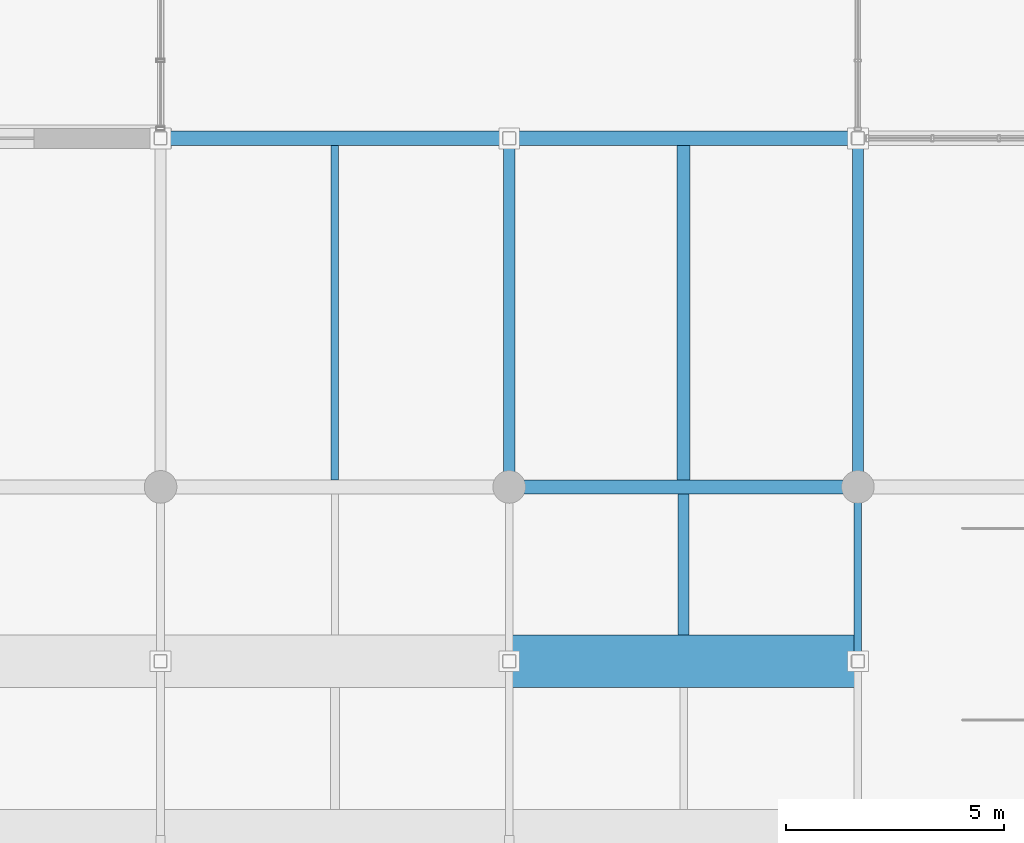
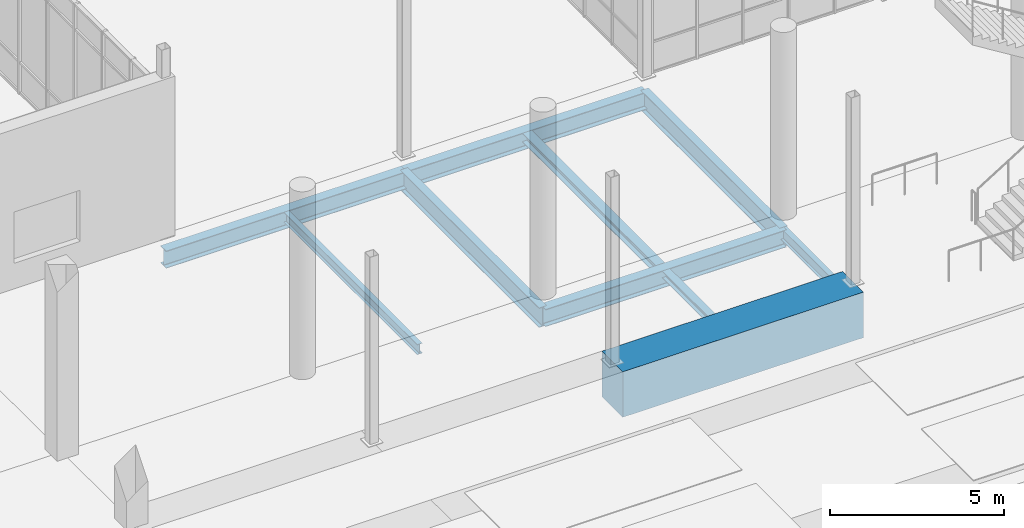
# One storey, part 26 of 140: 10 beams.
"""IFC4 building model written with IfcOpenShell, lengths in metres."""

from ifc_helpers import new_model, si_unit, direction, frame, origin, origin_2d, place, context, subcontext, project, spatial, rectangle, i_section, extrude, material, material_profile, profile_set, type_object, element, save


model = new_model("IFC4")

# Units and contexts
model_context = context("Model", 3, precision=1e-05, world=origin(), true_north=direction((0.0, 1.0)))
body_context = subcontext(model_context, "Body", "Model", "MODEL_VIEW")
ifc_project = project(units=[si_unit("LENGTHUNIT", "METRE"), si_unit("AREAUNIT", "SQUARE_METRE"), si_unit("VOLUMEUNIT", "CUBIC_METRE"), si_unit("PLANEANGLEUNIT", "RADIAN"), si_unit("MASSUNIT", "GRAM", prefix="KILO")], contexts=[model_context])

# Site, building, storey
site_placement = place(None, origin())
site = spatial("IfcSite", under=ifc_project, at=site_placement, CompositionType="ELEMENT")
building_placement = place(site_placement, origin())
building = spatial("IfcBuilding", under=site, at=building_placement, Name="Verrall Gate Interchange", CompositionType="ELEMENT")
storey_placement = place(building_placement, origin())
storey = spatial("IfcBuildingStorey", under=building, at=storey_placement, Name="L01", CompositionType="ELEMENT", Elevation=0.0)

# Beams
ifc_material_1 = material(Name="Structural Steel CSA G40.21 350WT Cat 4", Category="steel")
ifc_material_profile_1 = material_profile(ifc_material_1, i_section(OverallWidth=0.256103515625, OverallDepth=0.693115234375, WebThickness=0.01318359375, FlangeThickness=0.02001953125, FilletRadius=0.01611328125, at=origin_2d()), Name="W690x170")
ifc_profile_set_1 = profile_set([ifc_material_profile_1], Name="Structural Steel CSA G40.21 350WT Cat 4")
beam_type_1 = type_object("IfcBeamType", Name="B-07 Structural Beam W690x170", PredefinedType="BEAM", material=ifc_profile_set_1)
for number, where, z_axis, x_axis, name in (
    (1, (52.0, 48.0, -0.846435546875), (0.0, 1.0, 0.0), (-1.0, 0.0, 0.0), "L01 Girder BM-L01-1107 (B-07)"),
    (2, (60.0, 48.0, -0.846435546875), (0.0, 1.0, 0.0), (-1.0, 0.0, 0.0), "L01 Girder BM-L01-1116 (B-07)"),
):
    element("IfcBeam", number, at=place(storey_placement, frame(where, z_axis=z_axis, x_axis=x_axis)), inside=storey, type_object=beam_type_1, Name=name, PredefinedType="BEAM", context=body_context, shape_type="SweptSolid", body=[
        extrude(i_section(OverallWidth=0.256103515625, OverallDepth=0.693115234375, WebThickness=0.01318359375, FlangeThickness=0.02001953125, FilletRadius=0.01611328125, at=origin_2d()), origin(), (0.0, 0.0, 1.0), 8.0),
    ])
ifc_material_2 = material(Name="Structural Steel CSA G40.21 350WT Cat 4", Category="steel")
ifc_material_profile_2 = material_profile(ifc_material_2, i_section(OverallWidth=0.323974609375, OverallDepth=0.611083984375, WebThickness=0.0126953125, FlangeThickness=0.01904296875, FilletRadius=0.014892578125, at=origin_2d()), Name="W610x155")
ifc_profile_set_2 = profile_set([ifc_material_profile_2], Name="Structural Steel CSA G40.21 350WT Cat 4")
beam_type_2 = type_object("IfcBeamType", Name="B-08 Structural Beam W610x155", PredefinedType="BEAM", material=ifc_profile_set_2)
for number, where, z_axis, x_axis, name in (
    (3, (52.0, 48.0, -0.805419921875), (1.0, 0.0, 0.0), (0.0, 1.0, 0.0), "L01 Girder BM-L01-0919 (B-08)"),
    (4, (44.0, 56.0, -0.805419921875), (1.0, 0.0, 0.0), (0.0, 1.0, 0.0), "L01 Girder BM-L01-0940 (B-08)"),
    (5, (52.0, 56.0, -0.805419921875), (1.0, 0.0, 0.0), (0.0, 1.0, 0.0), "L01 Girder BM-L01-0941 (B-08)"),
):
    element("IfcBeam", number, at=place(storey_placement, frame(where, z_axis=z_axis, x_axis=x_axis)), inside=storey, type_object=beam_type_2, Name=name, PredefinedType="BEAM", context=body_context, shape_type="SweptSolid", body=[
        extrude(i_section(OverallWidth=0.323974609375, OverallDepth=0.611083984375, WebThickness=0.0126953125, FlangeThickness=0.01904296875, FilletRadius=0.014892578125, at=origin_2d()), origin(), (0.0, 0.0, 1.0), 8.0),
    ])
ifc_material_3 = material(Name="Structural Steel CSA G40.21 350W", Category="steel")
ifc_material_profile_3 = material_profile(ifc_material_3, i_section(OverallWidth=0.178955078125, OverallDepth=0.409912109375, WebThickness=0.0087890625, FlangeThickness=0.014404296875, FilletRadius=0.011962890625, at=origin_2d()), Name="W410x67")
ifc_profile_set_3 = profile_set([ifc_material_profile_3], Name="Structural Steel CSA G40.21 350W")
beam_type_3 = type_object("IfcBeamType", Name="B-12 Structural Beam W410x67", PredefinedType="BEAM", material=ifc_profile_set_3)
beam_1_placement = place(storey_placement, frame((60.0, 44.0, -0.705078125), z_axis=(0.0, 1.0, 0.0), x_axis=(-1.0, 0.0, 0.0)))
element("IfcBeam", 6, at=beam_1_placement, inside=storey, type_object=beam_type_3, Name="L01 Girder BM-L01-1115 (B-12)", PredefinedType="BEAM", context=body_context, shape_type="SweptSolid", body=[
    extrude(i_section(OverallWidth=0.178955078125, OverallDepth=0.409912109375, WebThickness=0.0087890625, FlangeThickness=0.014404296875, FilletRadius=0.011962890625, at=origin_2d()), origin(), (0.0, 0.0, 1.0), 4.0),
])
ifc_material_4 = material(Name="Structural Steel CSA G40.21 350W", Category="steel")
ifc_material_profile_4 = material_profile(ifc_material_4, i_section(OverallWidth=0.172119140625, OverallDepth=0.35791015625, WebThickness=0.0078125, FlangeThickness=0.01318359375, FilletRadius=0.010986328125, at=origin_2d()), Name="W360x57")
ifc_profile_set_4 = profile_set([ifc_material_profile_4], Name="Structural Steel CSA G40.21 350W")
beam_type_4 = type_object("IfcBeamType", Name="J-01 Floor Joist W360x57", PredefinedType="JOIST", material=ifc_profile_set_4)
beam_2_placement = place(storey_placement, frame((48.0, 48.162109375, -0.678955078125), z_axis=(0.0, 1.0, 0.0), x_axis=(-1.0, 0.0, 0.0)))
element("IfcBeam", 7, at=beam_2_placement, inside=storey, type_object=beam_type_4, Name="L01 Secondary Floor Joist JST-L01-1404", PredefinedType="JOIST", context=body_context, shape_type="SweptSolid", body=[
    extrude(i_section(OverallWidth=0.172119140625, OverallDepth=0.35791015625, WebThickness=0.0078125, FlangeThickness=0.01318359375, FilletRadius=0.010986328125, at=origin_2d()), origin(), (0.0, 0.0, 1.0), 7.67578125),
])
ifc_material_5 = material(Name="Structural Steel CSA G40.21 350W", Category="steel")
ifc_material_profile_5 = material_profile(ifc_material_5, i_section(OverallWidth=0.306884765625, OverallDepth=0.31396484375, WebThickness=0.011962890625, FlangeThickness=0.018798828125, FilletRadius=0.013916015625, at=origin_2d()), Name="W310x118")
ifc_profile_set_5 = profile_set([ifc_material_profile_5], Name="Structural Steel CSA G40.21 350W")
beam_type_5 = type_object("IfcBeamType", Name="J-02 Floor Joist W310x118", PredefinedType="JOIST", material=ifc_profile_set_5)
beam_3_placement = place(storey_placement, frame((56.0, 48.162109375, -0.656982421875), z_axis=(0.0, 1.0, 0.0), x_axis=(-1.0, 0.0, 0.0)))
element("IfcBeam", 8, at=beam_3_placement, inside=storey, type_object=beam_type_5, Name="L01 Secondary Floor Joist JST-L01-1405", PredefinedType="JOIST", context=body_context, shape_type="SweptSolid", body=[
    extrude(i_section(OverallWidth=0.306884765625, OverallDepth=0.31396484375, WebThickness=0.011962890625, FlangeThickness=0.018798828125, FilletRadius=0.013916015625, at=origin_2d()), origin(), (0.0, 0.0, 1.0), 7.67578125),
])
ifc_material_6 = material(Name="Structural Steel CSA G40.21 350W", Category="steel")
ifc_material_profile_6 = material_profile(ifc_material_6, i_section(OverallWidth=0.25390625, OverallDepth=0.2529296875, WebThickness=0.008544921875, FlangeThickness=0.01416015625, FilletRadius=0.011962890625, at=origin_2d()), Name="W250x73")
ifc_profile_set_6 = profile_set([ifc_material_profile_6], Name="Structural Steel CSA G40.21 350W")
beam_type_6 = type_object("IfcBeamType", Name="J-05 Floor Joist W250x73", PredefinedType="JOIST", material=ifc_profile_set_6)
beam_4_placement = place(storey_placement, frame((56.0, 44.60009765625, -0.62646484375), z_axis=(0.0, 1.0, 0.0), x_axis=(-1.0, 0.0, 0.0)))
element("IfcBeam", 9, at=beam_4_placement, inside=storey, type_object=beam_type_6, Name="L01 Secondary Floor Joist JST-L01-1387", PredefinedType="JOIST", context=body_context, shape_type="SweptSolid", body=[
    extrude(i_section(OverallWidth=0.25390625, OverallDepth=0.2529296875, WebThickness=0.008544921875, FlangeThickness=0.01416015625, FilletRadius=0.011962890625, at=origin_2d()), origin(), (0.0, 0.0, 1.0), 3.23779296875),
])
ifc_material_7 = material(Name="Concrete CSA A23.1 40 MPa (Class N)", Category="concrete")
ifc_material_profile_7 = material_profile(ifc_material_7, rectangle(XDim=1.199951171875, YDim=1.60009765625, at=origin_2d()), Name="RC1200x1600")
ifc_profile_set_7 = profile_set([ifc_material_profile_7], Name="Concrete CSA A23.1 40 MPa (Class N)")
beam_type_7 = type_object("IfcBeamType", Name="TG-01 Transfer Girder RC1200x1600", PredefinedType="USERDEFINED", material=ifc_profile_set_7)
beam_5_placement = place(storey_placement, frame((52.0, 44.0, -0.800048828125), z_axis=(1.0, 0.0, 0.0), x_axis=(0.0, 1.0, 0.0)))
element("IfcBeam", 10, at=beam_5_placement, inside=storey, type_object=beam_type_7, Name="L01 Girder BM-L01-0897 (TG-01)", ObjectType="TRANSFER_GIRDER", PredefinedType="USERDEFINED", context=body_context, shape_type="SweptSolid", body=[
    extrude(rectangle(XDim=1.199951171875, YDim=1.60009765625, at=origin_2d()), origin(), (0.0, 0.0, 1.0), 8.0),
])

save(model, "model.ifc")
